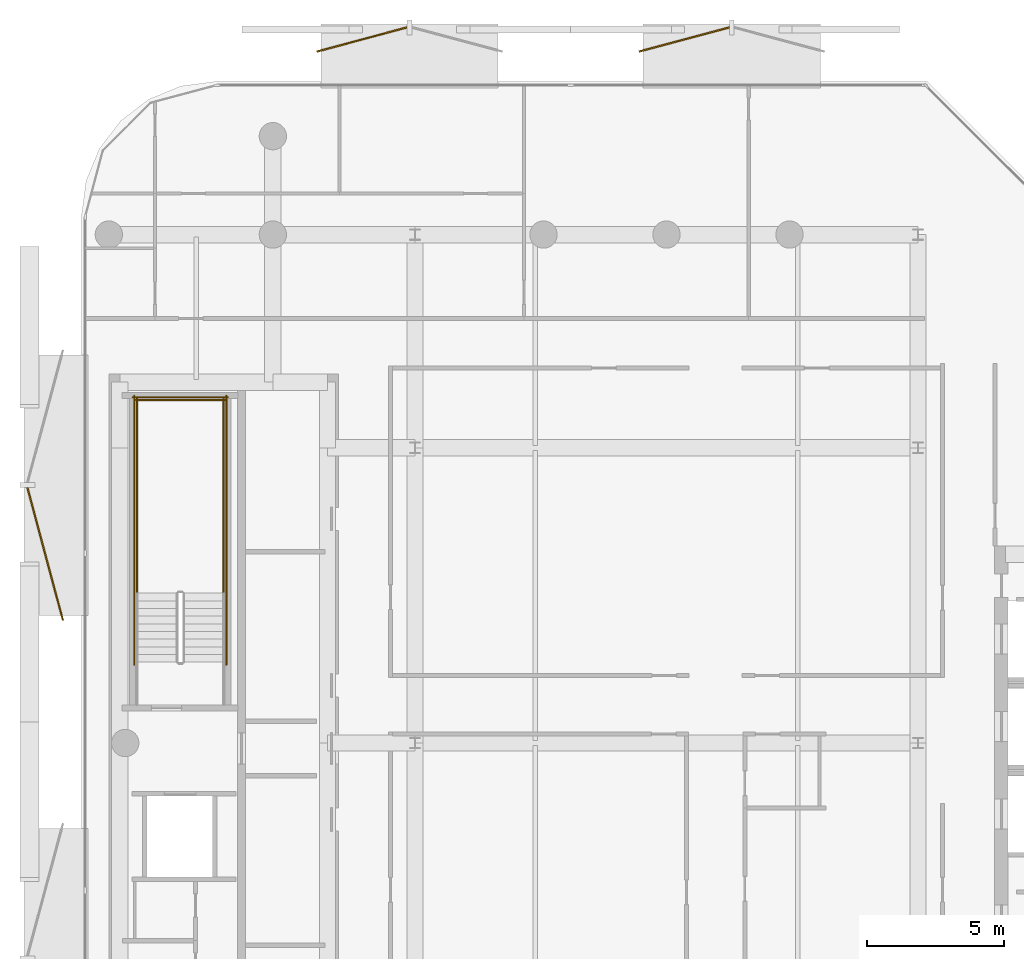
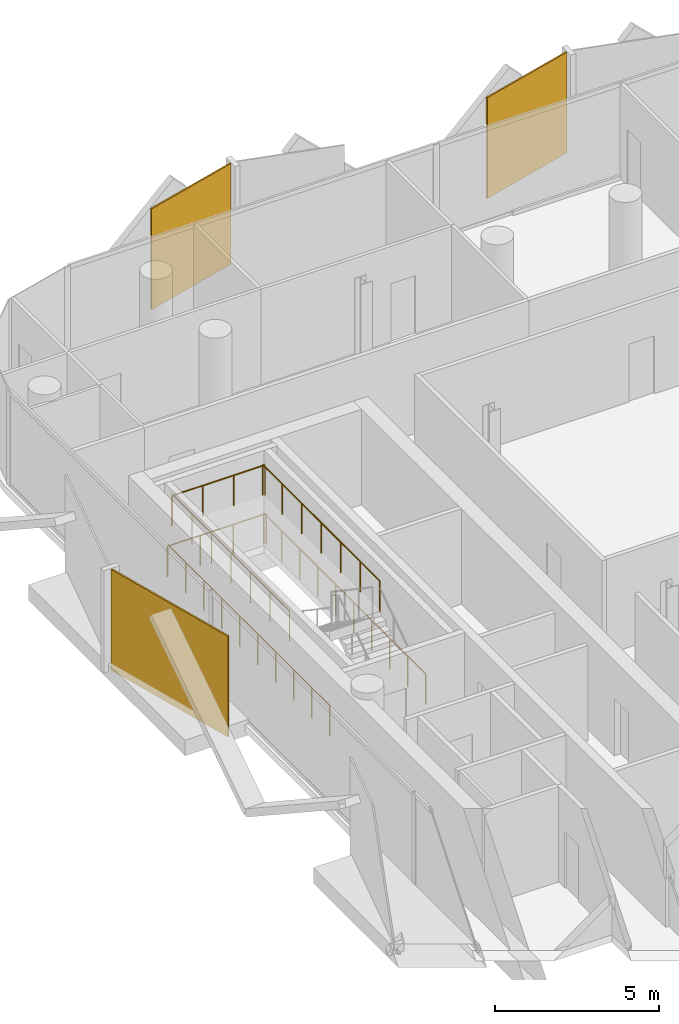
# One storey, part 15 of 15: 6 railings, 3 coverings.
"""IFC4 building model written with IfcOpenShell, lengths in metres."""

from ifc_helpers import new_model, si_unit, direction, frame, origin, origin_2d, place, context, subcontext, project, spatial, rectangle, circle, extrude, material, layer, layer_set, type_object, element, save


model = new_model("IFC4")

# Units and contexts
model_context = context("Model", 3, precision=1e-05, world=origin(), true_north=direction((0.0, 1.0)))
body_context = subcontext(model_context, "Body", "Model", "MODEL_VIEW")
ifc_project = project(units=[si_unit("LENGTHUNIT", "METRE"), si_unit("AREAUNIT", "SQUARE_METRE"), si_unit("VOLUMEUNIT", "CUBIC_METRE"), si_unit("PLANEANGLEUNIT", "RADIAN"), si_unit("MASSUNIT", "GRAM", prefix="KILO")], contexts=[model_context])

# Site, building, storey
site_placement = place(None, origin())
site = spatial("IfcSite", under=ifc_project, at=site_placement, CompositionType="ELEMENT")
building_placement = place(site_placement, origin())
building = spatial("IfcBuilding", under=site, at=building_placement, Name="Khairoan Windgate Tower", CompositionType="ELEMENT")
storey_placement = place(building_placement, frame((0.0, 0.0, 289.0)))
storey = spatial("IfcBuildingStorey", under=building, at=storey_placement, Name="L69", CompositionType="ELEMENT", Elevation=289.0)

# Coverings
ifc_material_1 = material(Name="Anodised Bronze Aluminium 6063-T6", Category="aluminium")
ifc_layer = layer(ifc_material_1, 0.054931640625, Name="Anodised Bronze Aluminium 6063-T6")
ifc_layer_set = layer_set([ifc_layer], Name="Anodised Bronze Aluminium 6063-T6")
covering_type = type_object("IfcCoveringType", Name="Perforated Bronze-Ceramic Folded Solar Screen Cladding BSC-1", PredefinedType="CLADDING", material=ifc_layer_set)
covering_placement = place(storey_placement, frame((-22.72998046875, 6.917236328125, -0.10009765625), z_axis=(0.0, 0.0, 1.0), x_axis=(-0.258819045103, 0.965925826289, 0.0)))
element("IfcCovering", 1, at=covering_placement, inside=storey, type_object=covering_type, Name="L69 Folded Bronze Solar Screen Facet 481L", PredefinedType="CLADDING", context=body_context, shape_type="SweptSolid", body=[
    extrude(rectangle(XDim=5.02197265625, YDim=0.054931640625, at=origin_2d()), origin(), (0.0, 0.0, 1.0), 3.739990234375),
])
for number, where, z_axis, x_axis, name in (
    (2, (-11.138427734375, 25.73779296875, -0.10009765625), (0.0, 0.0, 1.0), (0.965925826289, 0.258819045103, 0.0), "L69 Folded Bronze Solar Screen Facet 482L"),
    (3, (0.64794921875, 25.73779296875, -0.10009765625), (0.0, 0.0, 1.0), (0.965925826289, 0.258819045103, 0.0), "L69 Folded Bronze Solar Screen Facet 483L"),
):
    element("IfcCovering", number, at=place(storey_placement, frame(where, z_axis=z_axis, x_axis=x_axis)), inside=storey, type_object=covering_type, Name=name, PredefinedType="CLADDING", context=body_context, shape_type="SweptSolid", body=[
        extrude(rectangle(XDim=3.41796875, YDim=0.054931640625, at=origin_2d()), origin(), (0.0, 0.0, 1.0), 3.739990234375),
    ])

# Railings
ifc_material_2 = material(Name="Steel S355", Category="steel")
railing_type = type_object("IfcRailingType", Name="Stairwell Safety Guardrail SGR-1150", PredefinedType="GUARDRAIL", material=ifc_material_2)
for number, where, name in (
    (4, (-16.199951171875, 5.47998046875, 1.89990234375), "L69 ST2 stair guard 3"),
    (5, (-19.3701171875, 5.47998046875, 1.89990234375), "L69 ST2 stair guard 4"),
):
    element("IfcRailing", number, at=place(storey_placement, frame(where)), inside=storey, type_object=railing_type, Name=name, PredefinedType="GUARDRAIL", context=body_context, shape_type="SweptSolid", body=[
        extrude(circle(Radius=0.02392578125, at=origin_2d()), frame((0.0, 0.0, 1.1259765625), z_axis=(0.0, 1.0, 0.0), x_axis=(-1.0, 0.0, 0.0)), (0.0, 0.0, 1.0), 7.1201171875),
        extrude(circle(Radius=0.02099609375, at=origin_2d()), origin(), (0.0, 0.0, 1.0), 1.101806640625),
        extrude(circle(Radius=0.02099609375, at=origin_2d()), frame((0.0, 1.186767578125, 0.0)), (0.0, 0.0, 1.0), 1.101806640625),
        extrude(circle(Radius=0.02099609375, at=origin_2d()), frame((0.0, 2.373291015625, 0.0)), (0.0, 0.0, 1.0), 1.101806640625),
        extrude(circle(Radius=0.02099609375, at=origin_2d()), frame((0.0, 3.56005859375, 0.0)), (0.0, 0.0, 1.0), 1.101806640625),
        extrude(circle(Radius=0.02099609375, at=origin_2d()), frame((0.0, 4.746826171875, 0.0)), (0.0, 0.0, 1.0), 1.101806640625),
        extrude(circle(Radius=0.02099609375, at=origin_2d()), frame((0.0, 5.933349609375, 0.0)), (0.0, 0.0, 1.0), 1.101806640625),
        extrude(circle(Radius=0.02099609375, at=origin_2d()), frame((0.0, 7.1201171875, 0.0)), (0.0, 0.0, 1.0), 1.101806640625),
    ])
railing_1_placement = place(storey_placement, frame((-16.14990234375, 12.550048828125, 1.89990234375)))
element("IfcRailing", 6, at=railing_1_placement, inside=storey, type_object=railing_type, Name="L69 ST2 stair guard 5", PredefinedType="GUARDRAIL", context=body_context, shape_type="SweptSolid", body=[
    extrude(circle(Radius=0.02392578125, at=origin_2d()), frame((0.0, 0.0, 1.1259765625), z_axis=(-1.0, 0.0, 0.0), x_axis=(0.0, -1.0, 0.0)), (0.0, 0.0, 1.0), 3.27001953125),
    extrude(circle(Radius=0.02099609375, at=origin_2d()), origin(), (0.0, 0.0, 1.0), 1.101806640625),
    extrude(circle(Radius=0.02099609375, at=origin_2d()), frame((-1.090087890625, 0.0, 0.0)), (0.0, 0.0, 1.0), 1.101806640625),
    extrude(circle(Radius=0.02099609375, at=origin_2d()), frame((-2.179931640625, 0.0, 0.0)), (0.0, 0.0, 1.0), 1.101806640625),
    extrude(circle(Radius=0.02099609375, at=origin_2d()), frame((-3.27001953125, 0.0, 0.0)), (0.0, 0.0, 1.0), 1.101806640625),
])
for number, where, name in (
    (7, (-16.10009765625, 2.860107421875, 0.0), "L69 ST2 stair guard 10"),
    (8, (-19.469970703125, 2.860107421875, 0.0), "L69 ST2 stair guard 11"),
):
    element("IfcRailing", number, at=place(storey_placement, frame(where)), inside=storey, type_object=railing_type, Name=name, PredefinedType="GUARDRAIL", context=body_context, shape_type="SweptSolid", body=[
        extrude(circle(Radius=0.02392578125, at=origin_2d()), frame((0.0, 0.0, 1.1259765625), z_axis=(0.0, 1.0, 0.0), x_axis=(-1.0, 0.0, 0.0)), (0.0, 0.0, 1.0), 9.83984375),
        extrude(circle(Radius=0.02099609375, at=origin_2d()), origin(), (0.0, 0.0, 1.0), 1.101806640625),
        extrude(circle(Radius=0.02099609375, at=origin_2d()), frame((0.0, 1.09326171875, 0.0)), (0.0, 0.0, 1.0), 1.101806640625),
        extrude(circle(Radius=0.02099609375, at=origin_2d()), frame((0.0, 2.1865234375, 0.0)), (0.0, 0.0, 1.0), 1.101806640625),
        extrude(circle(Radius=0.02099609375, at=origin_2d()), frame((0.0, 3.280029296875, 0.0)), (0.0, 0.0, 1.0), 1.101806640625),
        extrude(circle(Radius=0.02099609375, at=origin_2d()), frame((0.0, 4.373291015625, 0.0)), (0.0, 0.0, 1.0), 1.101806640625),
        extrude(circle(Radius=0.02099609375, at=origin_2d()), frame((0.0, 5.466552734375, 0.0)), (0.0, 0.0, 1.0), 1.101806640625),
        extrude(circle(Radius=0.02099609375, at=origin_2d()), frame((0.0, 6.559814453125, 0.0)), (0.0, 0.0, 1.0), 1.101806640625),
        extrude(circle(Radius=0.02099609375, at=origin_2d()), frame((0.0, 7.6533203125, 0.0)), (0.0, 0.0, 1.0), 1.101806640625),
        extrude(circle(Radius=0.02099609375, at=origin_2d()), frame((0.0, 8.74658203125, 0.0)), (0.0, 0.0, 1.0), 1.101806640625),
        extrude(circle(Radius=0.02099609375, at=origin_2d()), frame((0.0, 9.83984375, 0.0)), (0.0, 0.0, 1.0), 1.101806640625),
    ])
railing_2_placement = place(storey_placement, frame((-16.050048828125, 12.64990234375, 0.0)))
element("IfcRailing", 9, at=railing_2_placement, inside=storey, type_object=railing_type, Name="L69 ST2 stair guard 12", PredefinedType="GUARDRAIL", context=body_context, shape_type="SweptSolid", body=[
    extrude(circle(Radius=0.02392578125, at=origin_2d()), frame((0.0, 0.0, 1.1259765625), z_axis=(-1.0, 0.0, 0.0), x_axis=(0.0, -1.0, 0.0)), (0.0, 0.0, 1.0), 3.469970703125),
    extrude(circle(Radius=0.02099609375, at=origin_2d()), origin(), (0.0, 0.0, 1.0), 1.101806640625),
    extrude(circle(Radius=0.02099609375, at=origin_2d()), frame((-1.15673828125, 0.0, 0.0)), (0.0, 0.0, 1.0), 1.101806640625),
    extrude(circle(Radius=0.02099609375, at=origin_2d()), frame((-2.313232421875, 0.0, 0.0)), (0.0, 0.0, 1.0), 1.101806640625),
    extrude(circle(Radius=0.02099609375, at=origin_2d()), frame((-3.469970703125, 0.0, 0.0)), (0.0, 0.0, 1.0), 1.101806640625),
])

save(model, "model.ifc")
